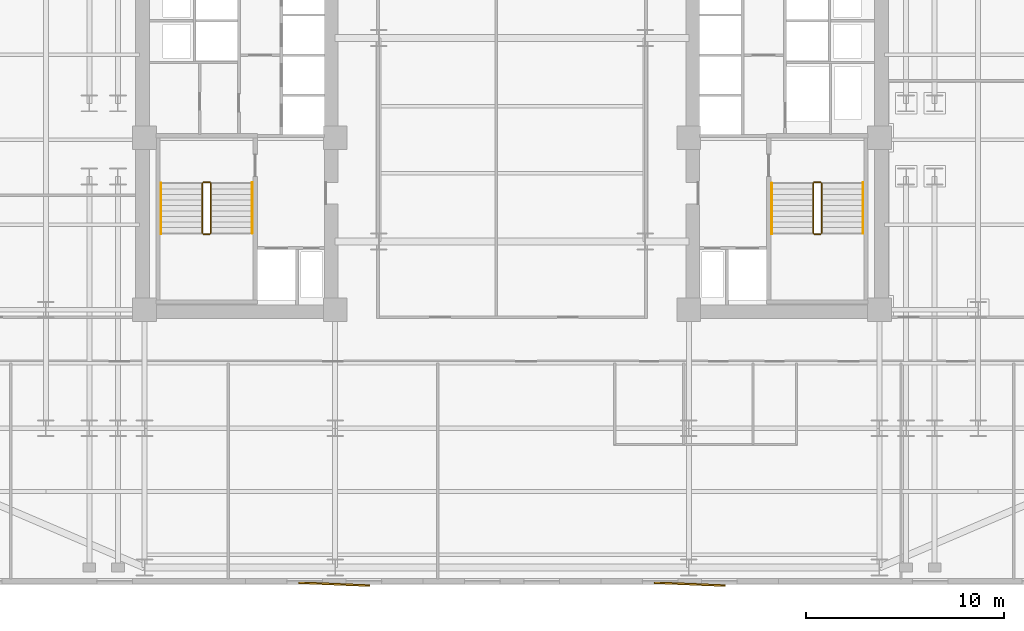
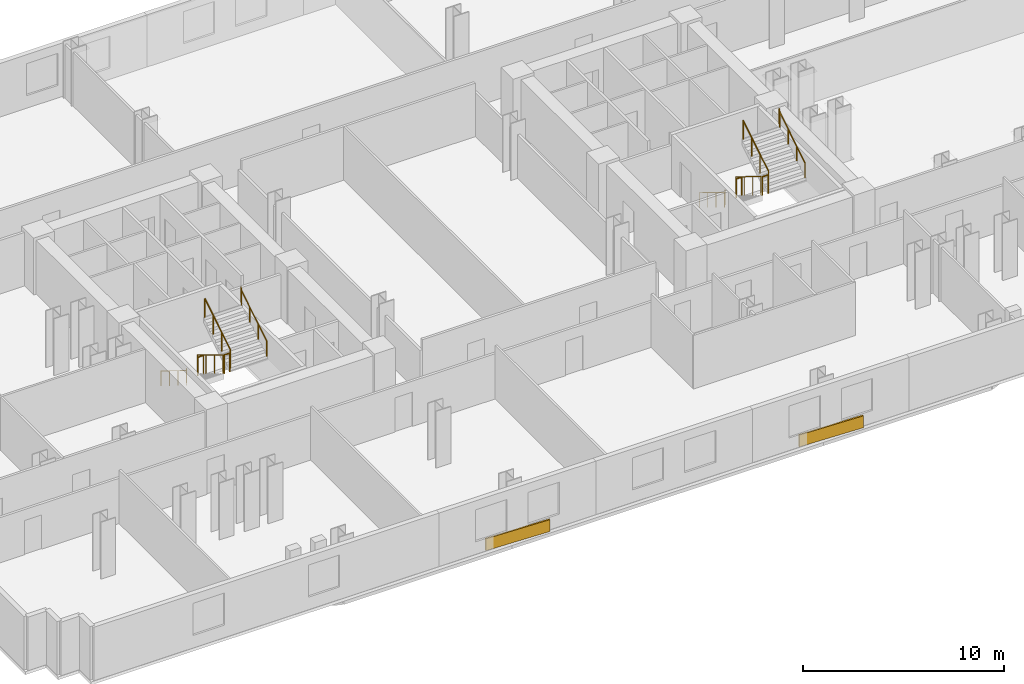
# One storey, part 9 of 10: 12 railings, 2 coverings.
"""IFC4 building model written with IfcOpenShell, lengths in metres."""

from ifc_helpers import new_model, si_unit, direction, frame, origin, origin_2d, place, context, subcontext, project, spatial, rectangle, circle, extrude, material, layer, layer_set, type_object, element, save


model = new_model("IFC4")

# Units and contexts
model_context = context("Model", 3, precision=1e-05, world=origin(), true_north=direction((0.0, 1.0)))
body_context = subcontext(model_context, "Body", "Model", "MODEL_VIEW")
ifc_project = project(units=[si_unit("LENGTHUNIT", "METRE"), si_unit("AREAUNIT", "SQUARE_METRE"), si_unit("VOLUMEUNIT", "CUBIC_METRE"), si_unit("PLANEANGLEUNIT", "RADIAN"), si_unit("MASSUNIT", "GRAM", prefix="KILO")], contexts=[model_context])

# Site, building, storey
site_placement = place(None, origin())
site = spatial("IfcSite", under=ifc_project, at=site_placement, CompositionType="ELEMENT")
building_placement = place(site_placement, origin())
building = spatial("IfcBuilding", under=site, at=building_placement, Name="Velakula Bourse", CompositionType="ELEMENT")
storey_placement = place(building_placement, frame((0.0, 0.0, 41.550048828125)))
storey = spatial("IfcBuildingStorey", under=building, at=storey_placement, Name="L10", CompositionType="ELEMENT", Elevation=41.550048828125)

# Coverings
ifc_material_1 = material(Name="Red kilned clay facing brick masonry", Category="masonry")
ifc_layer = layer(ifc_material_1, 0.090087890625, Name="Red kilned clay facing brick masonry", Category="masonry")
ifc_layer_set = layer_set([ifc_layer], Name="Red kilned clay facing brick masonry")
covering_type = type_object("IfcCoveringType", Name="COV-BRK-FOLD-90", PredefinedType="CLADDING", material=ifc_layer_set)
for number, where, z_axis, x_axis, name in (
    (1, (-9.0, -22.489990234375, 0.0), (0.0, 0.0, 1.0), (0.999158993058, -0.041003738744, 0.0), "L10 Folded Brick Facade Cladding Panel S-B2"),
    (2, (9.0, -22.489990234375, 0.0), (0.0, 0.0, 1.0), (0.999158993058, -0.041003738744, 0.0), "L10 Folded Brick Facade Cladding Panel S-B4"),
):
    element("IfcCovering", number, at=place(storey_placement, frame(where, z_axis=z_axis, x_axis=x_axis)), inside=storey, type_object=covering_type, Name=name, PredefinedType="CLADDING", context=body_context, shape_type="SweptSolid", body=[
        extrude(rectangle(XDim=3.60009765625, YDim=0.090087890625, at=origin_2d()), origin(), (0.0, 0.0, 1.0), 0.719970703125),
    ])

# Railings
ifc_material_2 = material(Name="Brushed grade 316 stainless steel", Category="steel")
railing_type_1 = type_object("IfcRailingType", Name="RLG-STAIR-GUARD-1150", PredefinedType="BALUSTRADE", material=ifc_material_2)
railing_1_placement = place(storey_placement, frame((-15.672119140625, -2.199951171875, 0.17236328125)))
element("IfcRailing", 3, at=railing_1_placement, inside=storey, type_object=railing_type_1, Name="L10 ST-W1 stair guard 1", PredefinedType="BALUSTRADE", context=body_context, shape_type="SweptSolid", body=[
    extrude(circle(Radius=0.02490234375, at=origin_2d()), frame((0.0, 0.0, 1.125), z_axis=(0.0, -0.851400495292, 0.524516154772), x_axis=(1.0, 0.0, 0.0)), (0.0, 0.0, 1.0), 2.9599609375),
    extrude(circle(Radius=0.02099609375, at=origin_2d()), origin(), (0.0, 0.0, 1.0), 1.099853515625),
    extrude(circle(Radius=0.02099609375, at=origin_2d()), frame((0.0, -0.840087890625, 0.517578125)), (0.0, 0.0, 1.0), 1.099853515625),
    extrude(circle(Radius=0.02099609375, at=origin_2d()), frame((0.0, -1.679931640625, 1.034912109375)), (0.0, 0.0, 1.0), 1.099853515625),
    extrude(circle(Radius=0.02099609375, at=origin_2d()), frame((0.0, -2.52001953125, 1.552490234375)), (0.0, 0.0, 1.0), 1.099853515625),
])
railing_2_placement = place(storey_placement, frame((-15.6220703125, -4.77001953125, 1.724853515625)))
element("IfcRailing", 4, at=railing_2_placement, inside=storey, type_object=railing_type_1, Name="L10 ST-W1 stair guard 2", PredefinedType="BALUSTRADE", context=body_context, shape_type="SweptSolid", body=[
    extrude(circle(Radius=0.02490234375, at=origin_2d()), frame((0.0, 0.0, 1.125), z_axis=(1.0, 0.0, 0.0), x_axis=(0.0, 1.0, 0.0)), (0.0, 0.0, 1.0), 0.323974609375),
    extrude(circle(Radius=0.02099609375, at=origin_2d()), origin(), (0.0, 0.0, 1.0), 1.099853515625),
    extrude(circle(Radius=0.02099609375, at=origin_2d()), frame((0.323974609375, 0.0, 0.0)), (0.0, 0.0, 1.0), 1.099853515625),
])
railing_3_placement = place(storey_placement, frame((-15.248046875, -4.719970703125, 1.8974609375)))
element("IfcRailing", 5, at=railing_3_placement, inside=storey, type_object=railing_type_1, Name="L10 ST-W1 stair guard 3", PredefinedType="BALUSTRADE", context=body_context, shape_type="SweptSolid", body=[
    extrude(circle(Radius=0.02490234375, at=origin_2d()), frame((0.0, 0.0, 1.125), z_axis=(0.0, 0.851400495292, 0.524516154772), x_axis=(-1.0, 0.0, 0.0)), (0.0, 0.0, 1.0), 2.9599609375),
    extrude(circle(Radius=0.02099609375, at=origin_2d()), origin(), (0.0, 0.0, 1.0), 1.099853515625),
    extrude(circle(Radius=0.02099609375, at=origin_2d()), frame((0.0, 0.840087890625, 0.517578125)), (0.0, 0.0, 1.0), 1.099853515625),
    extrude(circle(Radius=0.02099609375, at=origin_2d()), frame((0.0, 1.679931640625, 1.034912109375)), (0.0, 0.0, 1.0), 1.099853515625),
    extrude(circle(Radius=0.02099609375, at=origin_2d()), frame((0.0, 2.52001953125, 1.552490234375)), (0.0, 0.0, 1.0), 1.099853515625),
])
railing_4_placement = place(storey_placement, frame((-15.6220703125, -2.14990234375, 0.0)))
element("IfcRailing", 6, at=railing_4_placement, inside=storey, type_object=railing_type_1, Name="L10 ST-W1 stair guard 4", PredefinedType="BALUSTRADE", context=body_context, shape_type="SweptSolid", body=[
    extrude(circle(Radius=0.02490234375, at=origin_2d()), frame((0.0, 0.0, 1.125), z_axis=(1.0, 0.0, 0.0), x_axis=(0.0, 1.0, 0.0)), (0.0, 0.0, 1.0), 0.323974609375),
    extrude(circle(Radius=0.02099609375, at=origin_2d()), origin(), (0.0, 0.0, 1.0), 1.099853515625),
    extrude(circle(Radius=0.02099609375, at=origin_2d()), frame((0.323974609375, 0.0, 0.0)), (0.0, 0.0, 1.0), 1.099853515625),
])
railing_5_placement = place(storey_placement, frame((15.248046875, -2.199951171875, 0.17236328125)))
element("IfcRailing", 7, at=railing_5_placement, inside=storey, type_object=railing_type_1, Name="L10 ST-E1 stair guard 1", PredefinedType="BALUSTRADE", context=body_context, shape_type="SweptSolid", body=[
    extrude(circle(Radius=0.02490234375, at=origin_2d()), frame((0.0, 0.0, 1.125), z_axis=(0.0, -0.851400495292, 0.524516154772), x_axis=(1.0, 0.0, 0.0)), (0.0, 0.0, 1.0), 2.9599609375),
    extrude(circle(Radius=0.02099609375, at=origin_2d()), origin(), (0.0, 0.0, 1.0), 1.099853515625),
    extrude(circle(Radius=0.02099609375, at=origin_2d()), frame((0.0, -0.840087890625, 0.517578125)), (0.0, 0.0, 1.0), 1.099853515625),
    extrude(circle(Radius=0.02099609375, at=origin_2d()), frame((0.0, -1.679931640625, 1.034912109375)), (0.0, 0.0, 1.0), 1.099853515625),
    extrude(circle(Radius=0.02099609375, at=origin_2d()), frame((0.0, -2.52001953125, 1.552490234375)), (0.0, 0.0, 1.0), 1.099853515625),
])
railing_6_placement = place(storey_placement, frame((15.298095703125, -4.77001953125, 1.724853515625)))
element("IfcRailing", 8, at=railing_6_placement, inside=storey, type_object=railing_type_1, Name="L10 ST-E1 stair guard 2", PredefinedType="BALUSTRADE", context=body_context, shape_type="SweptSolid", body=[
    extrude(circle(Radius=0.02490234375, at=origin_2d()), frame((0.0, 0.0, 1.125), z_axis=(1.0, 0.0, 0.0), x_axis=(0.0, 1.0, 0.0)), (0.0, 0.0, 1.0), 0.323974609375),
    extrude(circle(Radius=0.02099609375, at=origin_2d()), origin(), (0.0, 0.0, 1.0), 1.099853515625),
    extrude(circle(Radius=0.02099609375, at=origin_2d()), frame((0.323974609375, 0.0, 0.0)), (0.0, 0.0, 1.0), 1.099853515625),
])
railing_7_placement = place(storey_placement, frame((15.672119140625, -4.719970703125, 1.8974609375)))
element("IfcRailing", 9, at=railing_7_placement, inside=storey, type_object=railing_type_1, Name="L10 ST-E1 stair guard 3", PredefinedType="BALUSTRADE", context=body_context, shape_type="SweptSolid", body=[
    extrude(circle(Radius=0.02490234375, at=origin_2d()), frame((0.0, 0.0, 1.125), z_axis=(0.0, 0.851400495292, 0.524516154772), x_axis=(-1.0, 0.0, 0.0)), (0.0, 0.0, 1.0), 2.9599609375),
    extrude(circle(Radius=0.02099609375, at=origin_2d()), origin(), (0.0, 0.0, 1.0), 1.099853515625),
    extrude(circle(Radius=0.02099609375, at=origin_2d()), frame((0.0, 0.840087890625, 0.517578125)), (0.0, 0.0, 1.0), 1.099853515625),
    extrude(circle(Radius=0.02099609375, at=origin_2d()), frame((0.0, 1.679931640625, 1.034912109375)), (0.0, 0.0, 1.0), 1.099853515625),
    extrude(circle(Radius=0.02099609375, at=origin_2d()), frame((0.0, 2.52001953125, 1.552490234375)), (0.0, 0.0, 1.0), 1.099853515625),
])
railing_8_placement = place(storey_placement, frame((15.298095703125, -2.14990234375, 0.0)))
element("IfcRailing", 10, at=railing_8_placement, inside=storey, type_object=railing_type_1, Name="L10 ST-E1 stair guard 4", PredefinedType="BALUSTRADE", context=body_context, shape_type="SweptSolid", body=[
    extrude(circle(Radius=0.02490234375, at=origin_2d()), frame((0.0, 0.0, 1.125), z_axis=(1.0, 0.0, 0.0), x_axis=(0.0, 1.0, 0.0)), (0.0, 0.0, 1.0), 0.323974609375),
    extrude(circle(Radius=0.02099609375, at=origin_2d()), origin(), (0.0, 0.0, 1.0), 1.099853515625),
    extrude(circle(Radius=0.02099609375, at=origin_2d()), frame((0.323974609375, 0.0, 0.0)), (0.0, 0.0, 1.0), 1.099853515625),
])
railing_type_2 = type_object("IfcRailingType", Name="RLG-STAIR-HAND-920", PredefinedType="HANDRAIL", material=ifc_material_2)
railing_9_placement = place(storey_placement, frame((-17.77001953125, -2.199951171875, 0.17236328125)))
element("IfcRailing", 11, at=railing_9_placement, inside=storey, type_object=railing_type_2, Name="L10 ST-W1 stair handrail 1", PredefinedType="HANDRAIL", context=body_context, shape_type="SweptSolid", body=[
    extrude(circle(Radius=0.02099609375, at=origin_2d()), frame((0.0, 0.0, 0.89892578125), z_axis=(0.0, -0.851400495292, 0.524516154772), x_axis=(1.0, 0.0, 0.0)), (0.0, 0.0, 1.0), 2.9599609375),
    extrude(circle(Radius=0.02099609375, at=origin_2d()), frame((0.0, -2.52001953125, 2.451416015625), z_axis=(0.0, -0.22596628056, 0.974135124123), x_axis=(1.0, 0.0, 0.0)), (0.0, 0.0, 1.0), 0.17724609375),
    extrude(circle(Radius=0.02099609375, at=origin_2d()), frame((0.0, -2.56005859375, 2.6240234375), z_axis=(0.0, -1.0, 0.0), x_axis=(1.0, 0.0, 0.0)), (0.0, 0.0, 1.0), 0.0048828125),
    extrude(circle(Radius=0.02099609375, at=origin_2d()), origin(), (0.0, 0.0, 1.0), 0.8779296875),
    extrude(circle(Radius=0.02099609375, at=origin_2d()), frame((0.0, -0.840087890625, 0.517578125)), (0.0, 0.0, 1.0), 0.8779296875),
    extrude(circle(Radius=0.02099609375, at=origin_2d()), frame((0.0, -1.679931640625, 1.034912109375)), (0.0, 0.0, 1.0), 0.8779296875),
    extrude(circle(Radius=0.02099609375, at=origin_2d()), frame((0.0, -2.52001953125, 1.552490234375)), (0.0, 0.0, 1.0), 0.8779296875),
    extrude(circle(Radius=0.02099609375, at=origin_2d()), frame((0.0, -2.56005859375, 1.72509765625)), (0.0, 0.0, 1.0), 0.8779296875),
    extrude(circle(Radius=0.02099609375, at=origin_2d()), frame((0.0, -2.56494140625, 1.72509765625)), (0.0, 0.0, 1.0), 0.8779296875),
])
railing_10_placement = place(storey_placement, frame((-13.14990234375, -4.719970703125, 1.8974609375)))
element("IfcRailing", 12, at=railing_10_placement, inside=storey, type_object=railing_type_2, Name="L10 ST-W1 stair handrail 2", PredefinedType="HANDRAIL", context=body_context, shape_type="SweptSolid", body=[
    extrude(circle(Radius=0.02099609375, at=origin_2d()), frame((0.0, 0.0, 0.89892578125), z_axis=(0.0, 0.851400495292, 0.524516154772), x_axis=(-1.0, 0.0, 0.0)), (0.0, 0.0, 1.0), 2.9599609375),
    extrude(circle(Radius=0.02099609375, at=origin_2d()), frame((0.0, 2.52001953125, 2.451416015625), z_axis=(0.0, 0.22596628056, 0.974135124123), x_axis=(-1.0, 0.0, 0.0)), (0.0, 0.0, 1.0), 0.17724609375),
    extrude(circle(Radius=0.02099609375, at=origin_2d()), frame((0.0, 2.56005859375, 2.6240234375), z_axis=(0.0, 1.0, 0.0), x_axis=(-1.0, 0.0, 0.0)), (0.0, 0.0, 1.0), 0.0048828125),
    extrude(circle(Radius=0.02099609375, at=origin_2d()), origin(), (0.0, 0.0, 1.0), 0.8779296875),
    extrude(circle(Radius=0.02099609375, at=origin_2d()), frame((0.0, 0.840087890625, 0.517578125)), (0.0, 0.0, 1.0), 0.8779296875),
    extrude(circle(Radius=0.02099609375, at=origin_2d()), frame((0.0, 1.679931640625, 1.034912109375)), (0.0, 0.0, 1.0), 0.8779296875),
    extrude(circle(Radius=0.02099609375, at=origin_2d()), frame((0.0, 2.52001953125, 1.552490234375)), (0.0, 0.0, 1.0), 0.8779296875),
    extrude(circle(Radius=0.02099609375, at=origin_2d()), frame((0.0, 2.56005859375, 1.72509765625)), (0.0, 0.0, 1.0), 0.8779296875),
    extrude(circle(Radius=0.02099609375, at=origin_2d()), frame((0.0, 2.56494140625, 1.72509765625)), (0.0, 0.0, 1.0), 0.8779296875),
])
railing_11_placement = place(storey_placement, frame((13.14990234375, -2.199951171875, 0.17236328125)))
element("IfcRailing", 13, at=railing_11_placement, inside=storey, type_object=railing_type_2, Name="L10 ST-E1 stair handrail 1", PredefinedType="HANDRAIL", context=body_context, shape_type="SweptSolid", body=[
    extrude(circle(Radius=0.02099609375, at=origin_2d()), frame((0.0, 0.0, 0.89892578125), z_axis=(0.0, -0.851400495292, 0.524516154772), x_axis=(1.0, 0.0, 0.0)), (0.0, 0.0, 1.0), 2.9599609375),
    extrude(circle(Radius=0.02099609375, at=origin_2d()), frame((0.0, -2.52001953125, 2.451416015625), z_axis=(0.0, -0.22596628056, 0.974135124123), x_axis=(1.0, 0.0, 0.0)), (0.0, 0.0, 1.0), 0.17724609375),
    extrude(circle(Radius=0.02099609375, at=origin_2d()), frame((0.0, -2.56005859375, 2.6240234375), z_axis=(0.0, -1.0, 0.0), x_axis=(1.0, 0.0, 0.0)), (0.0, 0.0, 1.0), 0.0048828125),
    extrude(circle(Radius=0.02099609375, at=origin_2d()), origin(), (0.0, 0.0, 1.0), 0.8779296875),
    extrude(circle(Radius=0.02099609375, at=origin_2d()), frame((0.0, -0.840087890625, 0.517578125)), (0.0, 0.0, 1.0), 0.8779296875),
    extrude(circle(Radius=0.02099609375, at=origin_2d()), frame((0.0, -1.679931640625, 1.034912109375)), (0.0, 0.0, 1.0), 0.8779296875),
    extrude(circle(Radius=0.02099609375, at=origin_2d()), frame((0.0, -2.52001953125, 1.552490234375)), (0.0, 0.0, 1.0), 0.8779296875),
    extrude(circle(Radius=0.02099609375, at=origin_2d()), frame((0.0, -2.56005859375, 1.72509765625)), (0.0, 0.0, 1.0), 0.8779296875),
    extrude(circle(Radius=0.02099609375, at=origin_2d()), frame((0.0, -2.56494140625, 1.72509765625)), (0.0, 0.0, 1.0), 0.8779296875),
])
railing_12_placement = place(storey_placement, frame((17.77001953125, -4.719970703125, 1.8974609375)))
element("IfcRailing", 14, at=railing_12_placement, inside=storey, type_object=railing_type_2, Name="L10 ST-E1 stair handrail 2", PredefinedType="HANDRAIL", context=body_context, shape_type="SweptSolid", body=[
    extrude(circle(Radius=0.02099609375, at=origin_2d()), frame((0.0, 0.0, 0.89892578125), z_axis=(0.0, 0.851400495292, 0.524516154772), x_axis=(-1.0, 0.0, 0.0)), (0.0, 0.0, 1.0), 2.9599609375),
    extrude(circle(Radius=0.02099609375, at=origin_2d()), frame((0.0, 2.52001953125, 2.451416015625), z_axis=(0.0, 0.22596628056, 0.974135124123), x_axis=(-1.0, 0.0, 0.0)), (0.0, 0.0, 1.0), 0.17724609375),
    extrude(circle(Radius=0.02099609375, at=origin_2d()), frame((0.0, 2.56005859375, 2.6240234375), z_axis=(0.0, 1.0, 0.0), x_axis=(-1.0, 0.0, 0.0)), (0.0, 0.0, 1.0), 0.0048828125),
    extrude(circle(Radius=0.02099609375, at=origin_2d()), origin(), (0.0, 0.0, 1.0), 0.8779296875),
    extrude(circle(Radius=0.02099609375, at=origin_2d()), frame((0.0, 0.840087890625, 0.517578125)), (0.0, 0.0, 1.0), 0.8779296875),
    extrude(circle(Radius=0.02099609375, at=origin_2d()), frame((0.0, 1.679931640625, 1.034912109375)), (0.0, 0.0, 1.0), 0.8779296875),
    extrude(circle(Radius=0.02099609375, at=origin_2d()), frame((0.0, 2.52001953125, 1.552490234375)), (0.0, 0.0, 1.0), 0.8779296875),
    extrude(circle(Radius=0.02099609375, at=origin_2d()), frame((0.0, 2.56005859375, 1.72509765625)), (0.0, 0.0, 1.0), 0.8779296875),
    extrude(circle(Radius=0.02099609375, at=origin_2d()), frame((0.0, 2.56494140625, 1.72509765625)), (0.0, 0.0, 1.0), 0.8779296875),
])

save(model, "model.ifc")
